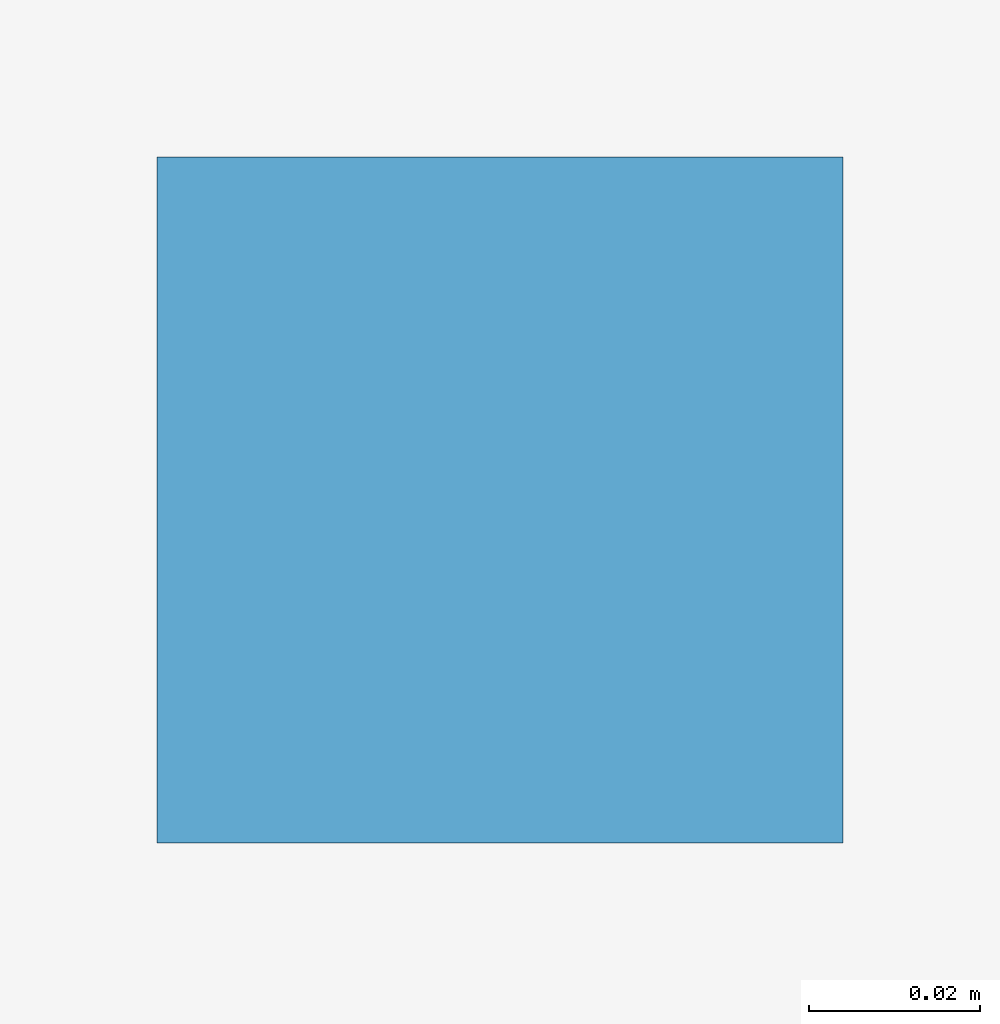
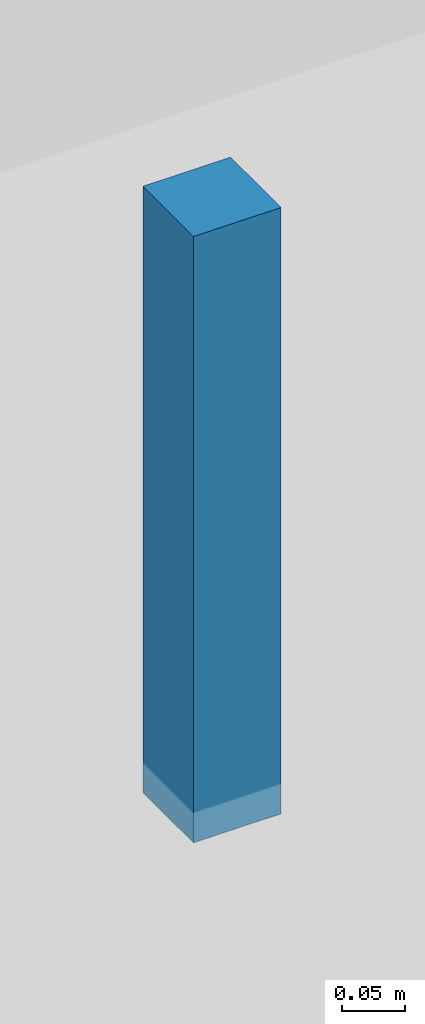
# One storey, part 12 of 16: 1 discrete accessory.
"""IFC4 building model written with IfcOpenShell, lengths in metres."""

from ifc_helpers import new_model, si_unit, direction, frame, origin, origin_2d, place, context, subcontext, project, spatial, rectangle, extrude, source, transform, mapped, material, type_object, element, save


model = new_model("IFC4")

# Units and contexts
model_context = context("Model", 3, precision=1e-05, world=origin(), true_north=direction((0.0, 1.0)))
body_context = subcontext(model_context, "Body", "Model", "MODEL_VIEW")
ifc_project = project(units=[si_unit("LENGTHUNIT", "METRE"), si_unit("AREAUNIT", "SQUARE_METRE"), si_unit("VOLUMEUNIT", "CUBIC_METRE"), si_unit("PLANEANGLEUNIT", "RADIAN"), si_unit("MASSUNIT", "GRAM", prefix="KILO")], contexts=[model_context])

# Site, building, storey
site_placement = place(None, origin())
site = spatial("IfcSite", under=ifc_project, at=site_placement, CompositionType="ELEMENT")
building_placement = place(site_placement, origin())
building = spatial("IfcBuilding", under=site, at=building_placement, Name="Giltprow Tower", CompositionType="ELEMENT")
storey_placement = place(building_placement, frame((0.0, 0.0, 227.0)))
storey = spatial("IfcBuildingStorey", under=building, at=storey_placement, Name="L57", CompositionType="ELEMENT", Elevation=227.0)

# Discrete accessory
ifc_material = material(Name="Structural steel Q355B", Category="steel")
discrete_accessory_type = type_object("IfcDiscreteAccessoryType", Name="ACC-CLG-HANGER", PredefinedType="BRACKET", material=ifc_material)
shared_shape = source(origin(), body_context, "Body", "SweptSolid", [
    extrude(rectangle(XDim=0.080078125, YDim=0.080078125, at=origin_2d()), origin(), (0.0, 0.0, 1.0), 0.5849609375),
])
discrete_accessory_placement = place(storey_placement, frame((35.0, 36.14990234375, 2.62060546875), z_axis=(0.0, 0.0, 1.0), x_axis=(1.0, 0.0, 0.0)))
element("IfcDiscreteAccessory", 1, at=discrete_accessory_placement, inside=storey, type_object=discrete_accessory_type, Name="L57 Residence Gallery Ceiling Suspension Hanger", PredefinedType="BRACKET", context=body_context, shape_type="MappedRepresentation", body=[
    mapped(shared_shape, transform((0.0, 0.0, 0.0), x_axis=(1.0, 0.0, 0.0), y_axis=(0.0, 1.0, 0.0), z_axis=(0.0, 0.0, 1.0), scale=1.0)),
])

save(model, "model.ifc")
